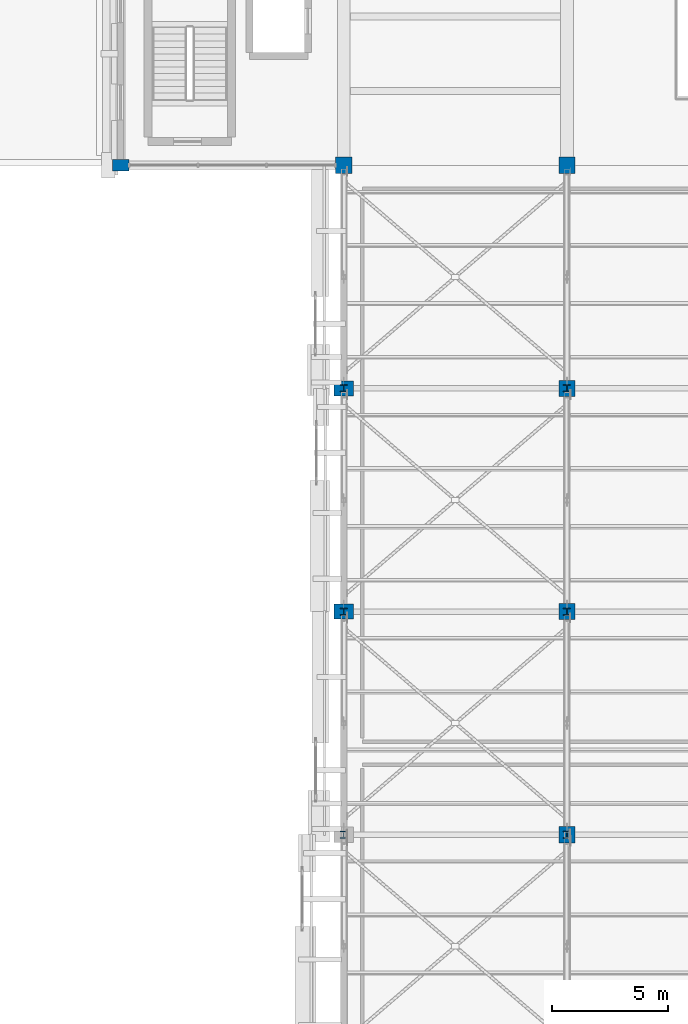
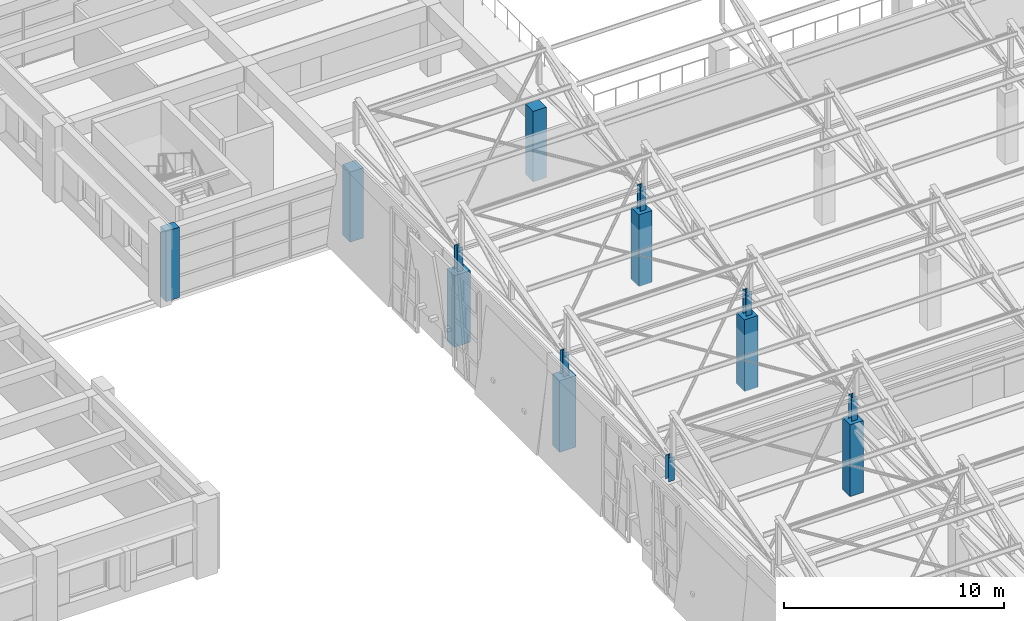
# One storey, part 3 of 71: 14 columns.
"""IFC4 building model written with IfcOpenShell, lengths in metres."""

from ifc_helpers import new_model, si_unit, direction, frame, origin, origin_2d, place, context, subcontext, project, spatial, rectangle, i_section, extrude, material, material_profile, profile_set, type_object, element, save


model = new_model("IFC4")

# Units and contexts
model_context = context("Model", 3, precision=1e-05, world=origin(), true_north=direction((0.0, 1.0)))
body_context = subcontext(model_context, "Body", "Model", "MODEL_VIEW")
ifc_project = project(units=[si_unit("LENGTHUNIT", "METRE"), si_unit("AREAUNIT", "SQUARE_METRE"), si_unit("VOLUMEUNIT", "CUBIC_METRE"), si_unit("PLANEANGLEUNIT", "RADIAN"), si_unit("MASSUNIT", "GRAM", prefix="KILO")], contexts=[model_context])

# Site, building, storey
site_placement = place(None, origin())
site = spatial("IfcSite", under=ifc_project, at=site_placement, CompositionType="ELEMENT")
building_placement = place(site_placement, origin())
building = spatial("IfcBuilding", under=site, at=building_placement, Name="Bempovik Park Faculty of Sciences", CompositionType="ELEMENT")
storey_placement = place(building_placement, frame((0.0, 0.0, 14.10009765625)))
storey = spatial("IfcBuildingStorey", under=building, at=storey_placement, Name="L03", CompositionType="ELEMENT", Elevation=14.10009765625)

# Columns
ifc_material_1 = material(Name="Steel S355", Category="steel")
ifc_material_profile_1 = material_profile(ifc_material_1, i_section(OverallWidth=0.300048828125, OverallDepth=0.300048828125, WebThickness=0.010986328125, FlangeThickness=0.01904296875, at=origin_2d()), Name="HEB 300")
ifc_profile_set_1 = profile_set([ifc_material_profile_1], Name="Steel S355")
column_type_1 = type_object("IfcColumnType", Name="C-14 HEB 300", PredefinedType="COLUMN", material=ifc_profile_set_1)
for number, where, z_axis, x_axis, name in (
    (1, (60.0, 39.0, 3.98583984375), (0.0, 0.0, 1.0), (1.0, 0.0, 0.0), "Sawtooth Clerestory Steel Column V1 (60.0,39.0)"),
    (2, (60.0, 48.60009765625, 3.98583984375), (0.0, 0.0, 1.0), (1.0, 0.0, 0.0), "Sawtooth Clerestory Steel Column V1 (60.0,48.6)"),
    (3, (60.0, 58.199951171875, 3.98583984375), (0.0, 0.0, 1.0), (1.0, 0.0, 0.0), "Sawtooth Clerestory Steel Column V1 (60.0,58.2)"),
    (4, (69.60009765625, 39.0, 3.98583984375), (0.0, 0.0, 1.0), (1.0, 0.0, 0.0), "Sawtooth Clerestory Steel Column V1 (69.6,39.0)"),
    (5, (69.60009765625, 48.60009765625, 3.98583984375), (0.0, 0.0, 1.0), (1.0, 0.0, 0.0), "Sawtooth Clerestory Steel Column V1 (69.6,48.6)"),
    (6, (69.60009765625, 58.199951171875, 3.98583984375), (0.0, 0.0, 1.0), (1.0, 0.0, 0.0), "Sawtooth Clerestory Steel Column V1 (69.6,58.2)"),
):
    element("IfcColumn", number, at=place(storey_placement, frame(where, z_axis=z_axis, x_axis=x_axis)), inside=storey, type_object=column_type_1, Name=name, PredefinedType="COLUMN", context=body_context, shape_type="SweptSolid", body=[
        extrude(i_section(OverallWidth=0.300048828125, OverallDepth=0.300048828125, WebThickness=0.010986328125, FlangeThickness=0.01904296875, at=origin_2d()), origin(), (0.0, 0.0, 1.0), 1.31396484375),
    ])
ifc_material_2 = material(Name="Concrete C40/50", Category="concrete")
ifc_material_profile_2 = material_profile(ifc_material_2, rectangle(XDim=0.699951171875, YDim=0.699951171875, at=origin_2d()), Name="RC 700x700")
ifc_profile_set_2 = profile_set([ifc_material_profile_2], Name="Concrete C40/50")
column_type_2 = type_object("IfcColumnType", Name="C-34 RC 700x700", PredefinedType="COLUMN", material=ifc_profile_set_2)
column_1_placement = place(storey_placement, frame((60.0, 67.800048828125, 0.0), z_axis=(0.0, 0.0, 1.0), x_axis=(1.0, 0.0, 0.0)))
element("IfcColumn", 7, at=column_1_placement, inside=storey, type_object=column_type_2, Name="L03 Structural Column (60.0,67.8)", PredefinedType="COLUMN", context=body_context, shape_type="SweptSolid", body=[
    extrude(rectangle(XDim=0.699951171875, YDim=0.699951171875, at=origin_2d()), origin(), (0.0, 0.0, 1.0), 3.89990234375),
])
for number, where, z_axis, x_axis, name in (
    (8, (69.60009765625, 39.0, 0.0), (0.0, 0.0, 1.0), (1.0, 0.0, 0.0), "L03 Structural Column (69.6,39.0)"),
    (9, (69.60009765625, 48.60009765625, 0.0), (0.0, 0.0, 1.0), (1.0, 0.0, 0.0), "L03 Structural Column (69.6,48.6)"),
    (10, (69.60009765625, 58.199951171875, 0.0), (0.0, 0.0, 1.0), (1.0, 0.0, 0.0), "L03 Structural Column (69.6,58.2)"),
):
    element("IfcColumn", number, at=place(storey_placement, frame(where, z_axis=z_axis, x_axis=x_axis)), inside=storey, type_object=column_type_2, Name=name, PredefinedType="COLUMN", context=body_context, shape_type="SweptSolid", body=[
        extrude(rectangle(XDim=0.699951171875, YDim=0.699951171875, at=origin_2d()), origin(), (0.0, 0.0, 1.0), 3.97998046875),
    ])
column_2_placement = place(storey_placement, frame((69.60009765625, 67.800048828125, 0.0), z_axis=(0.0, 0.0, 1.0), x_axis=(1.0, 0.0, 0.0)))
element("IfcColumn", 11, at=column_2_placement, inside=storey, type_object=column_type_2, Name="L03 Structural Column (69.6,67.8)", PredefinedType="COLUMN", context=body_context, shape_type="SweptSolid", body=[
    extrude(rectangle(XDim=0.699951171875, YDim=0.699951171875, at=origin_2d()), origin(), (0.0, 0.0, 1.0), 3.89990234375),
])
ifc_material_profile_3 = material_profile(ifc_material_2, rectangle(XDim=0.85009765625, YDim=0.64990234375, at=origin_2d()), Name="RC 850x650")
ifc_profile_set_3 = profile_set([ifc_material_profile_3], Name="Concrete C40/50")
column_type_3 = type_object("IfcColumnType", Name="C-71 RC 850x650", PredefinedType="COLUMN", material=ifc_profile_set_3)
for number, where, z_axis, x_axis, name in (
    (12, (60.0, 48.60009765625, 0.0), (0.0, 0.0, 1.0), (1.0, 0.0, 0.0), "L03 Structural Column (60.0,48.6)"),
    (13, (60.0, 58.199951171875, 0.0), (0.0, 0.0, 1.0), (1.0, 0.0, 0.0), "L03 Structural Column (60.0,58.2)"),
):
    element("IfcColumn", number, at=place(storey_placement, frame(where, z_axis=z_axis, x_axis=x_axis)), inside=storey, type_object=column_type_3, Name=name, PredefinedType="COLUMN", context=body_context, shape_type="SweptSolid", body=[
        extrude(rectangle(XDim=0.85009765625, YDim=0.64990234375, at=origin_2d()), origin(), (0.0, 0.0, 1.0), 3.97998046875),
    ])
ifc_material_profile_4 = material_profile(ifc_material_2, rectangle(XDim=0.699951171875, YDim=0.5, at=origin_2d()), Name="RC 700x500")
ifc_profile_set_4 = profile_set([ifc_material_profile_4], Name="Concrete C40/50")
column_type_4 = type_object("IfcColumnType", Name="C-75 RC 700x500", PredefinedType="COLUMN", material=ifc_profile_set_4)
column_3_placement = place(storey_placement, frame((50.39990234375, 67.800048828125, 0.0), z_axis=(0.0, 0.0, 1.0), x_axis=(1.0, 0.0, 0.0)))
element("IfcColumn", 14, at=column_3_placement, inside=storey, type_object=column_type_4, Name="L03 Structural Column (50.4,67.8)", PredefinedType="COLUMN", context=body_context, shape_type="SweptSolid", body=[
    extrude(rectangle(XDim=0.699951171875, YDim=0.5, at=origin_2d()), origin(), (0.0, 0.0, 1.0), 3.89990234375),
])

save(model, "model.ifc")
